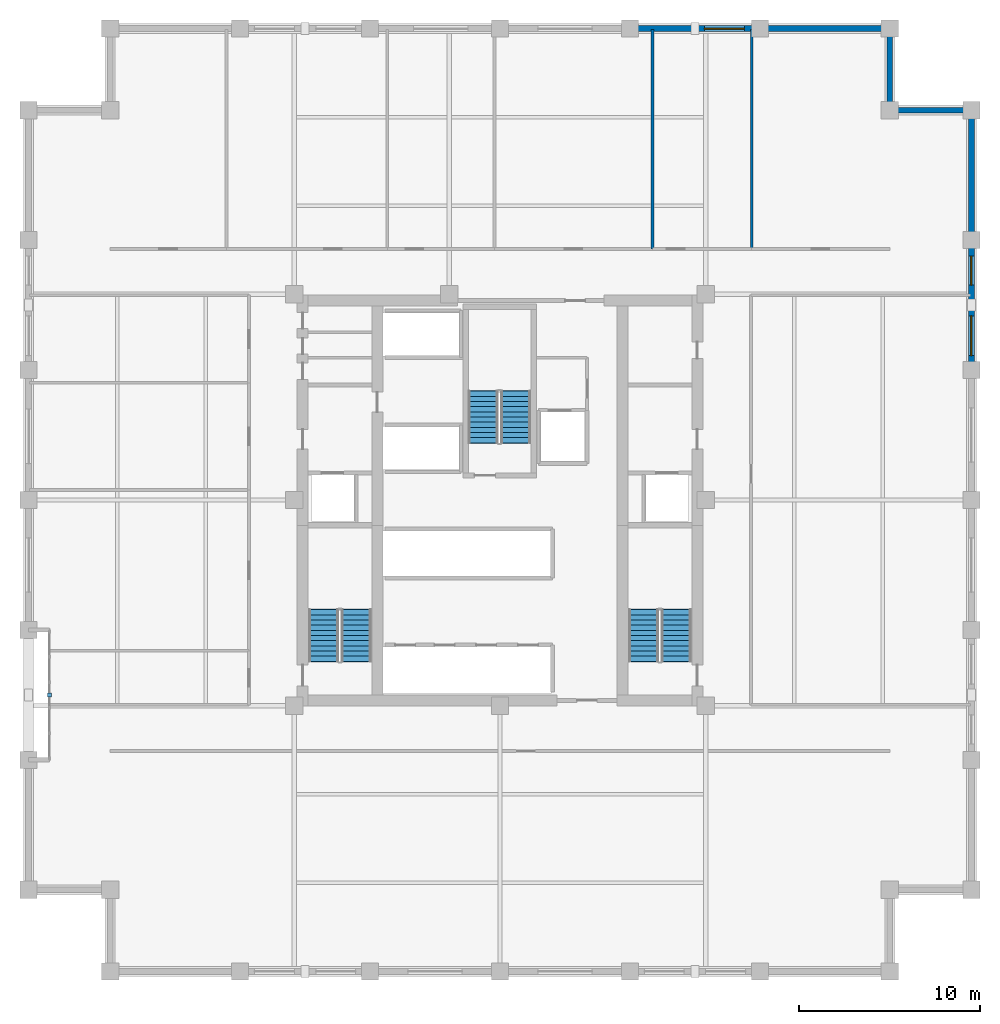
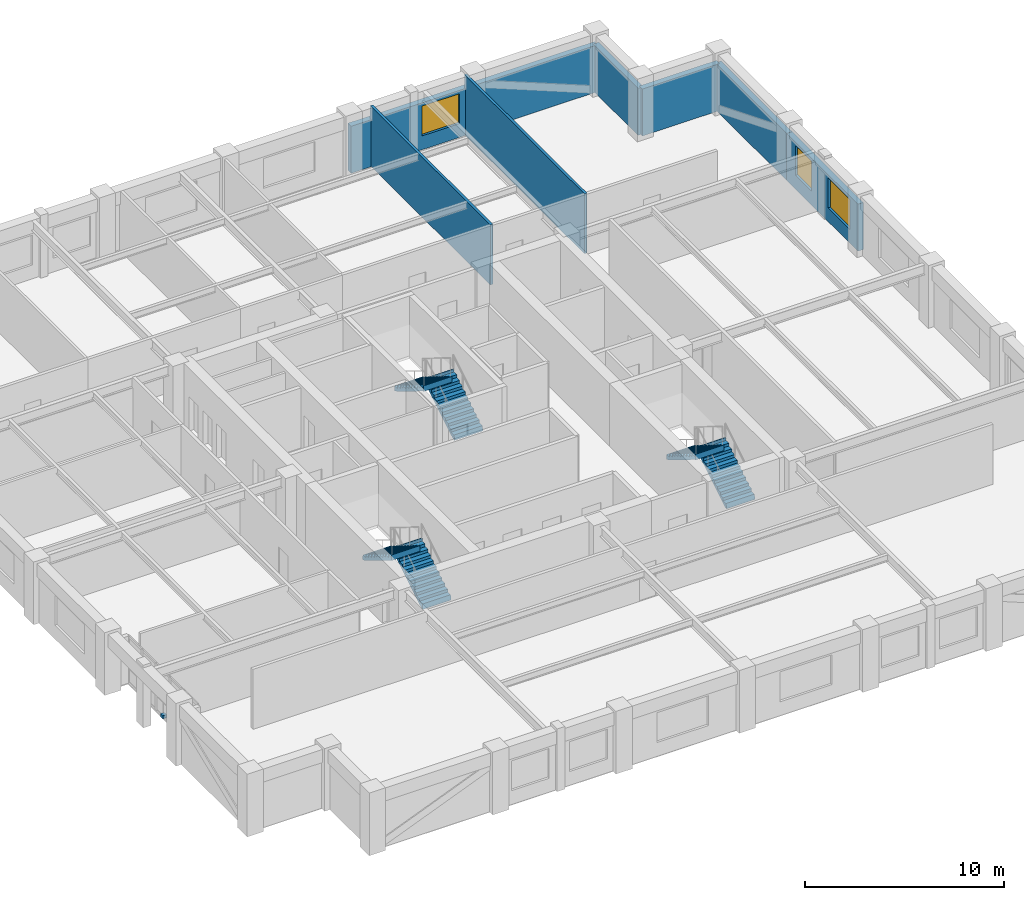
# One storey, part 9 of 11: 8 walls, 6 stair flights, 3 windows, 1 discrete accessory, 3 openings, 3 elements without a shape of their own.
"""IFC4 building model written with IfcOpenShell, lengths in metres."""

from ifc_helpers import new_model, si_unit, direction, frame, frame_2d, origin, origin_2d, place, context, subcontext, project, spatial, polyline, rectangle, outline, extrude, material, layer, layer_set, type_object, element, fill, aggregate, save


model = new_model("IFC4")

# Units and contexts
model_context = context("Model", 3, precision=1e-05, world=origin(), true_north=direction((0.0, 1.0)))
body_context = subcontext(model_context, "Body", "Model", "MODEL_VIEW")
ifc_project = project(units=[si_unit("LENGTHUNIT", "METRE"), si_unit("AREAUNIT", "SQUARE_METRE"), si_unit("VOLUMEUNIT", "CUBIC_METRE"), si_unit("PLANEANGLEUNIT", "RADIAN"), si_unit("MASSUNIT", "GRAM", prefix="KILO")], contexts=[model_context])

# Site, building, storey
site_placement = place(None, origin())
site = spatial("IfcSite", under=ifc_project, at=site_placement, CompositionType="ELEMENT")
building_placement = place(site_placement, origin())
building = spatial("IfcBuilding", under=site, at=building_placement, Name="Nhamokura Convention Tower", CompositionType="ELEMENT")
storey_placement = place(building_placement, frame((0.0, 0.0, 168.35009765625)))
storey = spatial("IfcBuildingStorey", under=building, at=storey_placement, Name="L41", CompositionType="ELEMENT", Elevation=168.35009765625)

# Wall, opening, window
ifc_material_1 = material(Name="Bronze-pigmented precast concrete C45/55", Category="concrete")
ifc_layer_1 = layer(ifc_material_1, 0.320068359375)
ifc_layer_set_1 = layer_set([ifc_layer_1], Name="BronzePrecastSpandrel_320")
wall_type_1 = type_object("IfcWallType", Name="BronzePrecastSpandrel_320", PredefinedType="USERDEFINED", material=ifc_layer_set_1)
wall_1_placement = place(storey_placement, frame((39.166748046875, 58.0, 0.0), z_axis=(0.0, 0.0, 1.0), x_axis=(1.0, 0.0, 0.0)))
wall_1 = element("IfcWall", 1, at=wall_1_placement, inside=storey, type_object=wall_type_1, Name="L41 Masonry-Frame Wall NORTH 4", ObjectType="SPANDREL_WALL", PredefinedType="USERDEFINED", context=body_context, shape_type="SweptSolid", body=[
    extrude(rectangle(XDim=7.16650390625, YDim=0.320068359375, at=frame_2d((3.583251953125, 0.0))), origin(), (0.0, 0.0, 1.0), 2.885009765625),
])
opening_1_placement = place(wall_1_placement, frame((4.112548828125, 0.0, 0.85009765625)))
opening_1 = element("IfcOpeningElement", 2, at=opening_1_placement, cuts=wall_1, Name="Opening W-06", PredefinedType="OPENING", context=body_context, shape_type="SweptSolid", body=[
    extrude(rectangle(XDim=2.199951171875, YDim=1.8349609375, at=frame_2d((1.10009765625, 0.91748046875))), frame((0.0, 0.169921875, 0.0), z_axis=(0.0, -1.0, 0.0), x_axis=(1.0, 0.0, 0.0)), (0.0, 0.0, 1.0), 0.340087890625),
])
ifc_material_2 = material(Name="Solar-control bronze low-E double glass", Category="glass")
window_type_1 = type_object("IfcWindowType", Name="OfficeModuleWindow_Z2_2200", PartitioningType="SINGLE_PANEL", PredefinedType="WINDOW", material=ifc_material_2)
window_1_placement = place(opening_1_placement, origin())
window_1 = element("IfcWindow", 3, at=window_1_placement, inside=storey, type_object=window_type_1, Name="L41 Facade Window NORTH 4-3", OverallHeight=1.8349609375, OverallWidth=2.199951171875, PartitioningType="SINGLE_PANEL", PredefinedType="WINDOW", context=body_context, shape_type="SweptSolid", body=[
    extrude(rectangle(XDim=2.199951171875, YDim=1.8349609375, at=frame_2d((1.10009765625, 0.91748046875))), frame((0.0, 0.030029296875, 0.0), z_axis=(0.0, -1.0, 0.0), x_axis=(1.0, 0.0, 0.0)), (0.0, 0.0, 1.0), 0.06005859375),
])
fill(opening_1, window_1)

# Wall
wall_2_placement = place(storey_placement, frame((46.333251953125, 58.0, 0.0), z_axis=(0.0, 0.0, 1.0), x_axis=(1.0, 0.0, 0.0)))
element("IfcWall", 4, at=wall_2_placement, inside=storey, type_object=wall_type_1, Name="L41 Braced-Bay Precast Wall NORTH 5", ObjectType="SPANDREL_WALL", PredefinedType="USERDEFINED", context=body_context, shape_type="SweptSolid", body=[
    extrude(rectangle(XDim=7.166748046875, YDim=0.320068359375, at=frame_2d((3.58349609375, 0.0))), origin(), (0.0, 0.0, 1.0), 2.885009765625),
])

# Wall, openings, windows
wall_3_placement = place(storey_placement, frame((58.0, 46.333251953125, 0.0), z_axis=(0.0, 0.0, 1.0), x_axis=(0.0, -1.0, 0.0)))
wall_3 = element("IfcWall", 5, at=wall_3_placement, inside=storey, type_object=wall_type_1, Name="L41 Masonry-Frame Wall EAST 4", ObjectType="SPANDREL_WALL", PredefinedType="USERDEFINED", context=body_context, shape_type="SweptSolid", body=[
    extrude(rectangle(XDim=7.16650390625, YDim=0.320068359375, at=frame_2d((3.583251953125, 0.0))), origin(), (0.0, 0.0, 1.0), 2.885009765625),
])
opening_2_placement = place(wall_3_placement, frame((0.879150390625, 0.0, 0.85009765625)))
opening_2 = element("IfcOpeningElement", 6, at=opening_2_placement, cuts=wall_3, Name="Opening W-11", PredefinedType="OPENING", context=body_context, shape_type="SweptSolid", body=[
    extrude(rectangle(XDim=1.60009765625, YDim=1.8349609375, at=frame_2d((0.800048828125, 0.91748046875))), frame((0.0, 0.169921875, 0.0), z_axis=(0.0, -1.0, 0.0), x_axis=(1.0, 0.0, 0.0)), (0.0, 0.0, 1.0), 0.340087890625),
])
opening_3_placement = place(wall_3_placement, frame((4.175048828125, 0.0, 0.85009765625)))
opening_3 = element("IfcOpeningElement", 7, at=opening_3_placement, cuts=wall_3, Name="Opening W-06", PredefinedType="OPENING", context=body_context, shape_type="SweptSolid", body=[
    extrude(rectangle(XDim=2.199951171875, YDim=1.8349609375, at=frame_2d((1.10009765625, 0.91748046875))), frame((0.0, 0.169921875, 0.0), z_axis=(0.0, -1.0, 0.0), x_axis=(1.0, 0.0, 0.0)), (0.0, 0.0, 1.0), 0.340087890625),
])
ifc_material_3 = material(Name="Solar-control bronze low-E double glass", Category="glass")
window_type_2 = type_object("IfcWindowType", Name="NotchCornerWindow_1600", PartitioningType="SINGLE_PANEL", PredefinedType="WINDOW", material=ifc_material_3)
window_2_placement = place(opening_2_placement, origin())
window_2 = element("IfcWindow", 8, at=window_2_placement, inside=storey, type_object=window_type_2, Name="L41 Facade Window EAST 4-1", OverallHeight=1.8349609375, OverallWidth=1.60009765625, PartitioningType="SINGLE_PANEL", PredefinedType="WINDOW", context=body_context, shape_type="SweptSolid", body=[
    extrude(rectangle(XDim=1.60009765625, YDim=1.8349609375, at=frame_2d((0.800048828125, 0.91748046875))), frame((0.0, 0.030029296875, 0.0), z_axis=(0.0, -1.0, 0.0), x_axis=(1.0, 0.0, 0.0)), (0.0, 0.0, 1.0), 0.06005859375),
])
fill(opening_2, window_2)
window_3_placement = place(opening_3_placement, origin())
window_3 = element("IfcWindow", 9, at=window_3_placement, inside=storey, type_object=window_type_1, Name="L41 Facade Window EAST 4-2", OverallHeight=1.8349609375, OverallWidth=2.199951171875, PartitioningType="SINGLE_PANEL", PredefinedType="WINDOW", context=body_context, shape_type="SweptSolid", body=[
    extrude(rectangle(XDim=2.199951171875, YDim=1.8349609375, at=frame_2d((1.10009765625, 0.91748046875))), frame((0.0, 0.030029296875, 0.0), z_axis=(0.0, -1.0, 0.0), x_axis=(1.0, 0.0, 0.0)), (0.0, 0.0, 1.0), 0.06005859375),
])
fill(opening_3, window_3)

# Walls
wall_4_placement = place(storey_placement, frame((58.0, 53.5, 0.0), z_axis=(0.0, 0.0, 1.0), x_axis=(0.0, -1.0, 0.0)))
element("IfcWall", 10, at=wall_4_placement, inside=storey, type_object=wall_type_1, Name="L41 Braced-Bay Precast Wall EAST 5", ObjectType="SPANDREL_WALL", PredefinedType="USERDEFINED", context=body_context, shape_type="SweptSolid", body=[
    extrude(rectangle(XDim=7.166748046875, YDim=0.320068359375, at=frame_2d((3.58349609375, 0.0))), origin(), (0.0, 0.0, 1.0), 2.885009765625),
])
for number, where, z_axis, x_axis, name in (
    (11, (53.5, 53.5, 0.0), (0.0, 0.0, 1.0), (1.0, 0.0, 0.0), "L41 Notched Corner Wall NE1"),
    (12, (53.5, 58.0, 0.0), (0.0, 0.0, 1.0), (0.0, -1.0, 0.0), "L41 Notched Corner Wall NE2"),
):
    element("IfcWall", number, at=place(storey_placement, frame(where, z_axis=z_axis, x_axis=x_axis)), inside=storey, type_object=wall_type_1, Name=name, ObjectType="SPANDREL_WALL", PredefinedType="USERDEFINED", context=body_context, shape_type="SweptSolid", body=[
        extrude(rectangle(XDim=4.5, YDim=0.320068359375, at=frame_2d((2.25, 0.0))), origin(), (0.0, 0.0, 1.0), 2.885009765625),
    ])
ifc_material_4 = material(Name="Acoustic gypsum stud partition", Category="masonry")
ifc_layer_2 = layer(ifc_material_4, 0.14990234375)
ifc_layer_set_2 = layer_set([ifc_layer_2], Name="InteriorPartition_150")
wall_type_2 = type_object("IfcWallType", Name="InteriorPartition_150", PredefinedType="STANDARD", material=ifc_layer_set_2)
for number, where, z_axis, x_axis, name in (
    (13, (40.416748046875, 45.85009765625, 0.0), (0.0, 0.0, 1.0), (0.0, 1.0, 0.0), "L41 Wall INT-L41-RW-N04"),
    (14, (45.88330078125, 45.85009765625, 0.0), (0.0, 0.0, 1.0), (0.0, 1.0, 0.0), "L41 Wall INT-L41-RW-N05"),
):
    element("IfcWall", number, at=place(storey_placement, frame(where, z_axis=z_axis, x_axis=x_axis)), inside=storey, type_object=wall_type_2, Name=name, PredefinedType="STANDARD", context=body_context, shape_type="SweptSolid", body=[
        extrude(rectangle(XDim=12.08984375, YDim=0.14990234375, at=frame_2d((6.044921875, 0.0))), origin(), (0.0, 0.0, 1.0), 3.684814453125),
    ])

# Stair, stair flights
ifc_material_5 = material(Name="Concrete C40/50", Category="concrete")
stair_type = type_object("IfcStairType", Name="TowerCoreStair_1650", PredefinedType="HALF_TURN_STAIR", material=ifc_material_5)
stair_1_placement = place(storey_placement, origin())
stair_1 = element("IfcStair", 15, at=stair_1_placement, inside=storey, type_object=stair_type, Name="L41 West Core Smokeproof Stair ST-01", PredefinedType="HALF_TURN_STAIR")
ifc_material_6 = material(Name="Concrete C40/50", Category="concrete")
stair_flight_type = type_object("IfcStairFlightType", Name="TowerCoreStair_1650_Flight", PredefinedType="STRAIGHT", material=ifc_material_6)
stair_flight_1_placement = place(storey_placement, frame((24.074951171875, 23.10009765625, 0.0), z_axis=(0.0, 0.0, 1.0), x_axis=(0.0, 1.0, 0.0)))
stair_flight_1 = element("IfcStairFlight", 16, at=stair_flight_1_placement, type_object=stair_flight_type, Name="ST-01 flight 1", NumberOfRisers=11, NumberOfTreads=10, PredefinedType="STRAIGHT", RiserHeight=0.175, TreadLength=0.285, context=body_context, shape_type="SweptSolid", body=[
    extrude(outline(polyline([(-0.0419921875, 0.0), (0.0, 0.175048828125), (0.284912109375, 0.175048828125), (0.284912109375, 0.35009765625), (0.570068359375, 0.35009765625), (0.570068359375, 0.52490234375), (0.85498046875, 0.52490234375), (0.85498046875, 0.699951171875), (1.139892578125, 0.699951171875), (1.139892578125, 0.875), (1.425048828125, 0.875), (1.425048828125, 1.050048828125), (1.7099609375, 1.050048828125), (1.7099609375, 1.22509765625), (1.9951171875, 1.22509765625), (1.9951171875, 1.39990234375), (2.280029296875, 1.39990234375), (2.280029296875, 1.574951171875), (2.56494140625, 1.574951171875), (2.56494140625, 1.75), (2.85009765625, 1.75), (2.85009765625, 1.925048828125), (2.89208984375, 1.925048828125), (2.89208984375, 1.573974609375), (2.85009765625, 1.573974609375), (0.286376953125, 0.0), (0.02001953125, -0.1298828125), (-0.0419921875, -0.1298828125), (-0.0419921875, 0.0)])), frame((0.0, 0.824951171875, 0.0), z_axis=(0.0, -1.0, 0.0), x_axis=(1.0, 0.0, 0.0)), (0.0, 0.0, 1.0), 1.64990234375),
])
stair_flight_2_placement = place(storey_placement, frame((22.27490234375, 25.949951171875, 1.9248046875), z_axis=(0.0, 0.0, 1.0), x_axis=(0.0, -1.0, 0.0)))
stair_flight_2 = element("IfcStairFlight", 17, at=stair_flight_2_placement, type_object=stair_flight_type, Name="ST-01 flight 2", NumberOfRisers=11, NumberOfTreads=10, PredefinedType="STRAIGHT", RiserHeight=0.175, TreadLength=0.285, context=body_context, shape_type="SweptSolid", body=[
    extrude(outline(polyline([(-0.0419921875, 0.0), (0.0, 0.175048828125), (0.284912109375, 0.175048828125), (0.284912109375, 0.35009765625), (0.570068359375, 0.35009765625), (0.570068359375, 0.52490234375), (0.85498046875, 0.52490234375), (0.85498046875, 0.699951171875), (1.139892578125, 0.699951171875), (1.139892578125, 0.875), (1.425048828125, 0.875), (1.425048828125, 1.050048828125), (1.7099609375, 1.050048828125), (1.7099609375, 1.22509765625), (1.9951171875, 1.22509765625), (1.9951171875, 1.39990234375), (2.280029296875, 1.39990234375), (2.280029296875, 1.574951171875), (2.56494140625, 1.574951171875), (2.56494140625, 1.75), (2.85009765625, 1.75), (2.85009765625, 1.925048828125), (2.89208984375, 1.925048828125), (2.89208984375, 1.573974609375), (2.85009765625, 1.573974609375), (0.286376953125, 0.0), (0.02001953125, -0.1298828125), (-0.0419921875, -0.1298828125), (-0.0419921875, 0.0)])), frame((0.0, 0.824951171875, 0.0), z_axis=(0.0, -1.0, 0.0), x_axis=(1.0, 0.0, 0.0)), (0.0, 0.0, 1.0), 1.64990234375),
])
aggregate(stair_1, [stair_flight_1, stair_flight_2])

stair_2_placement = place(storey_placement, origin())
stair_2 = element("IfcStair", 18, at=stair_2_placement, inside=storey, type_object=stair_type, Name="L41 East Core Smokeproof Stair ST-02", PredefinedType="HALF_TURN_STAIR")
stair_flight_3_placement = place(storey_placement, frame((41.72509765625, 23.10009765625, 0.0), z_axis=(0.0, 0.0, 1.0), x_axis=(0.0, 1.0, 0.0)))
stair_flight_3 = element("IfcStairFlight", 19, at=stair_flight_3_placement, type_object=stair_flight_type, Name="ST-02 flight 1", NumberOfRisers=11, NumberOfTreads=10, PredefinedType="STRAIGHT", RiserHeight=0.175, TreadLength=0.285, context=body_context, shape_type="SweptSolid", body=[
    extrude(outline(polyline([(-0.0419921875, 0.0), (0.0, 0.175048828125), (0.284912109375, 0.175048828125), (0.284912109375, 0.35009765625), (0.570068359375, 0.35009765625), (0.570068359375, 0.52490234375), (0.85498046875, 0.52490234375), (0.85498046875, 0.699951171875), (1.139892578125, 0.699951171875), (1.139892578125, 0.875), (1.425048828125, 0.875), (1.425048828125, 1.050048828125), (1.7099609375, 1.050048828125), (1.7099609375, 1.22509765625), (1.9951171875, 1.22509765625), (1.9951171875, 1.39990234375), (2.280029296875, 1.39990234375), (2.280029296875, 1.574951171875), (2.56494140625, 1.574951171875), (2.56494140625, 1.75), (2.85009765625, 1.75), (2.85009765625, 1.925048828125), (2.89208984375, 1.925048828125), (2.89208984375, 1.573974609375), (2.85009765625, 1.573974609375), (0.286376953125, 0.0), (0.02001953125, -0.1298828125), (-0.0419921875, -0.1298828125), (-0.0419921875, 0.0)])), frame((0.0, 0.824951171875, 0.0), z_axis=(0.0, -1.0, 0.0), x_axis=(1.0, 0.0, 0.0)), (0.0, 0.0, 1.0), 1.64990234375),
])
stair_flight_4_placement = place(storey_placement, frame((39.925048828125, 25.949951171875, 1.9248046875), z_axis=(0.0, 0.0, 1.0), x_axis=(0.0, -1.0, 0.0)))
stair_flight_4 = element("IfcStairFlight", 20, at=stair_flight_4_placement, type_object=stair_flight_type, Name="ST-02 flight 2", NumberOfRisers=11, NumberOfTreads=10, PredefinedType="STRAIGHT", RiserHeight=0.175, TreadLength=0.285, context=body_context, shape_type="SweptSolid", body=[
    extrude(outline(polyline([(-0.0419921875, 0.0), (0.0, 0.175048828125), (0.284912109375, 0.175048828125), (0.284912109375, 0.35009765625), (0.570068359375, 0.35009765625), (0.570068359375, 0.52490234375), (0.85498046875, 0.52490234375), (0.85498046875, 0.699951171875), (1.139892578125, 0.699951171875), (1.139892578125, 0.875), (1.425048828125, 0.875), (1.425048828125, 1.050048828125), (1.7099609375, 1.050048828125), (1.7099609375, 1.22509765625), (1.9951171875, 1.22509765625), (1.9951171875, 1.39990234375), (2.280029296875, 1.39990234375), (2.280029296875, 1.574951171875), (2.56494140625, 1.574951171875), (2.56494140625, 1.75), (2.85009765625, 1.75), (2.85009765625, 1.925048828125), (2.89208984375, 1.925048828125), (2.89208984375, 1.573974609375), (2.85009765625, 1.573974609375), (0.286376953125, 0.0), (0.02001953125, -0.1298828125), (-0.0419921875, -0.1298828125), (-0.0419921875, 0.0)])), frame((0.0, 0.824951171875, 0.0), z_axis=(0.0, -1.0, 0.0), x_axis=(1.0, 0.0, 0.0)), (0.0, 0.0, 1.0), 1.64990234375),
])
aggregate(stair_2, [stair_flight_3, stair_flight_4])

stair_3_placement = place(storey_placement, origin())
stair_3 = element("IfcStair", 21, at=stair_3_placement, inside=storey, type_object=stair_type, Name="L41 North Core Smokeproof Stair ST-03", PredefinedType="HALF_TURN_STAIR")
stair_flight_5_placement = place(storey_placement, frame((32.875, 35.14990234375, 0.0), z_axis=(0.0, 0.0, 1.0), x_axis=(0.0, 1.0, 0.0)))
stair_flight_5 = element("IfcStairFlight", 22, at=stair_flight_5_placement, type_object=stair_flight_type, Name="ST-03 flight 1", NumberOfRisers=11, NumberOfTreads=10, PredefinedType="STRAIGHT", RiserHeight=0.175, TreadLength=0.285, context=body_context, shape_type="SweptSolid", body=[
    extrude(outline(polyline([(-0.0419921875, 0.0), (0.0, 0.175048828125), (0.284912109375, 0.175048828125), (0.284912109375, 0.35009765625), (0.570068359375, 0.35009765625), (0.570068359375, 0.52490234375), (0.85498046875, 0.52490234375), (0.85498046875, 0.699951171875), (1.139892578125, 0.699951171875), (1.139892578125, 0.875), (1.425048828125, 0.875), (1.425048828125, 1.050048828125), (1.7099609375, 1.050048828125), (1.7099609375, 1.22509765625), (1.9951171875, 1.22509765625), (1.9951171875, 1.39990234375), (2.280029296875, 1.39990234375), (2.280029296875, 1.574951171875), (2.56494140625, 1.574951171875), (2.56494140625, 1.75), (2.85009765625, 1.75), (2.85009765625, 1.925048828125), (2.89208984375, 1.925048828125), (2.89208984375, 1.573974609375), (2.85009765625, 1.573974609375), (0.286376953125, 0.0), (0.02001953125, -0.1298828125), (-0.0419921875, -0.1298828125), (-0.0419921875, 0.0)])), frame((0.0, 0.824951171875, 0.0), z_axis=(0.0, -1.0, 0.0), x_axis=(1.0, 0.0, 0.0)), (0.0, 0.0, 1.0), 1.64990234375),
])
stair_flight_6_placement = place(storey_placement, frame((31.074951171875, 38.0, 1.9248046875), z_axis=(0.0, 0.0, 1.0), x_axis=(0.0, -1.0, 0.0)))
stair_flight_6 = element("IfcStairFlight", 23, at=stair_flight_6_placement, type_object=stair_flight_type, Name="ST-03 flight 2", NumberOfRisers=11, NumberOfTreads=10, PredefinedType="STRAIGHT", RiserHeight=0.175, TreadLength=0.285, context=body_context, shape_type="SweptSolid", body=[
    extrude(outline(polyline([(-0.0419921875, 0.0), (0.0, 0.175048828125), (0.284912109375, 0.175048828125), (0.284912109375, 0.35009765625), (0.570068359375, 0.35009765625), (0.570068359375, 0.52490234375), (0.85498046875, 0.52490234375), (0.85498046875, 0.699951171875), (1.139892578125, 0.699951171875), (1.139892578125, 0.875), (1.425048828125, 0.875), (1.425048828125, 1.050048828125), (1.7099609375, 1.050048828125), (1.7099609375, 1.22509765625), (1.9951171875, 1.22509765625), (1.9951171875, 1.39990234375), (2.280029296875, 1.39990234375), (2.280029296875, 1.574951171875), (2.56494140625, 1.574951171875), (2.56494140625, 1.75), (2.85009765625, 1.75), (2.85009765625, 1.925048828125), (2.89208984375, 1.925048828125), (2.89208984375, 1.573974609375), (2.85009765625, 1.573974609375), (0.286376953125, 0.0), (0.02001953125, -0.1298828125), (-0.0419921875, -0.1298828125), (-0.0419921875, 0.0)])), frame((0.0, 0.824951171875, 0.0), z_axis=(0.0, -1.0, 0.0), x_axis=(1.0, 0.0, 0.0)), (0.0, 0.0, 1.0), 1.64990234375),
])
aggregate(stair_3, [stair_flight_5, stair_flight_6])

# Discrete accessory
ifc_material_7 = material(Name="Steel ASTM A572 Gr 50", Category="steel")
discrete_accessory_type = type_object("IfcDiscreteAccessoryType", Name="FacadeOutstandBracket", PredefinedType="BRACKET", material=ifc_material_7)
discrete_accessory_placement = place(storey_placement, frame((7.14990234375, 21.25, -0.02001953125), z_axis=(0.0, 0.0, 1.0), x_axis=(1.0, 0.0, 0.0)))
element("IfcDiscreteAccessory", 24, at=discrete_accessory_placement, inside=storey, type_object=discrete_accessory_type, Name="L41 Scale Slot Base Shoe Bracket WEST 1", PredefinedType="BRACKET", context=body_context, shape_type="SweptSolid", body=[
    extrude(rectangle(XDim=0.219970703125, YDim=0.219970703125, at=origin_2d()), origin(), (0.0, 0.0, 1.0), 0.199951171875),
])

save(model, "model.ifc")
